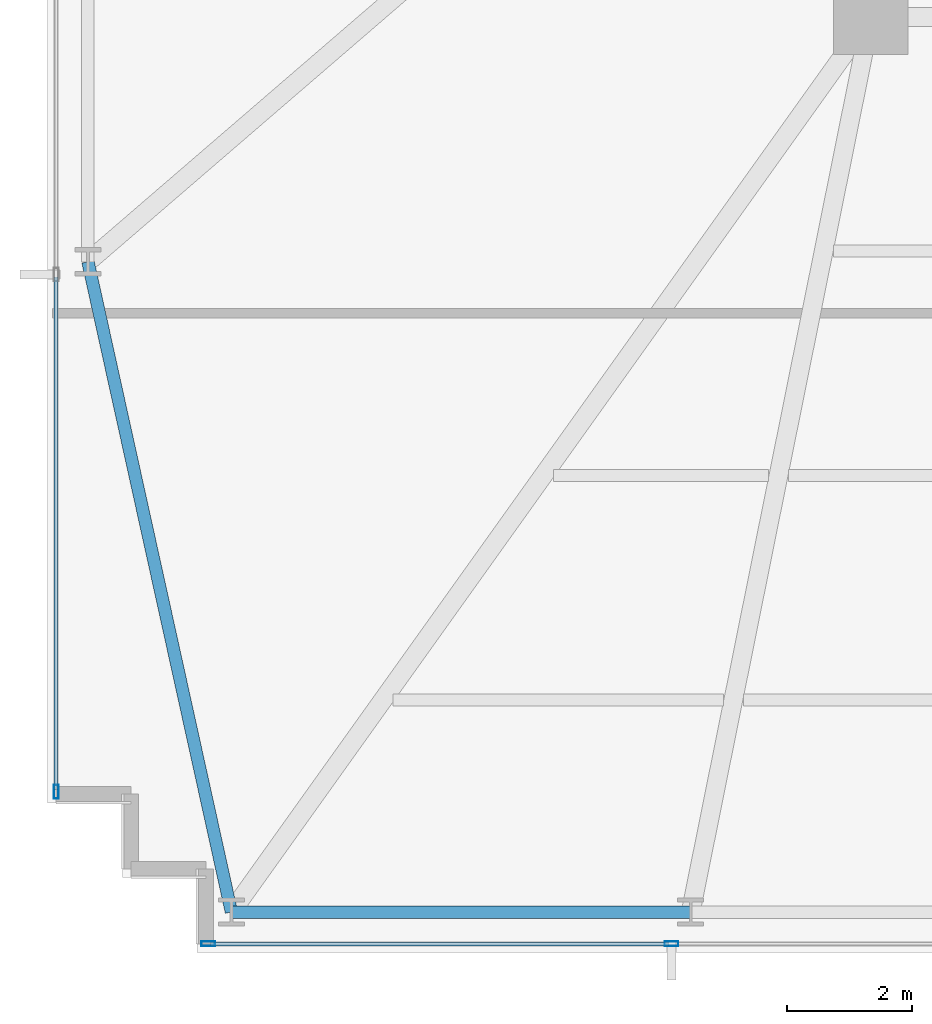
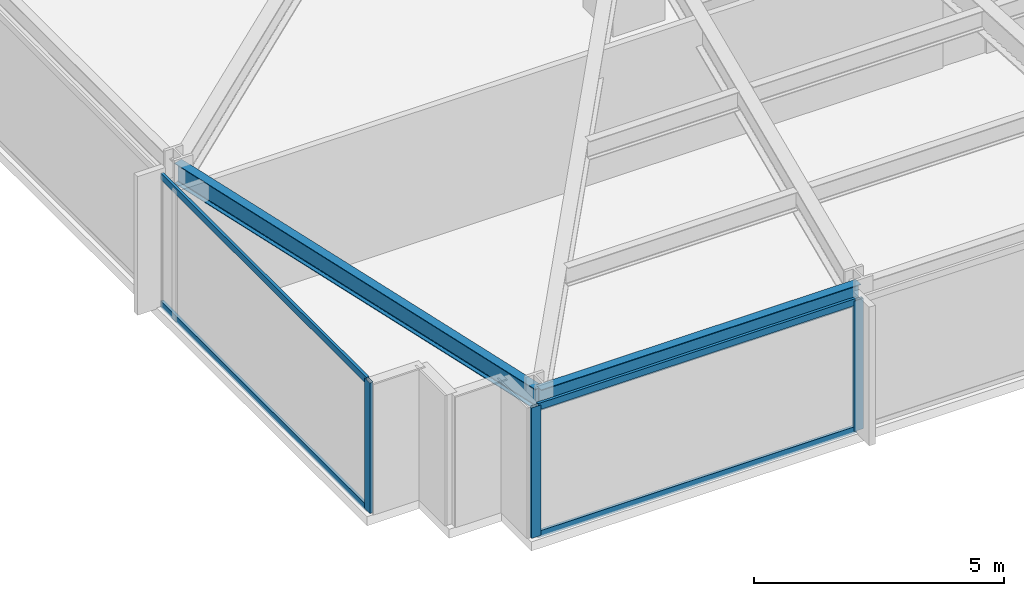
# One storey, part 2 of 33: 7 members, 2 beams, 2 elements without a shape of their own.
"""IFC4 building model written with IfcOpenShell, lengths in metres."""

from ifc_helpers import new_model, si_unit, direction, frame, origin, origin_2d, place, context, subcontext, project, spatial, hollow_rectangle, i_section, extrude, material, material_profile, profile_set, type_object, element, aggregate, save


model = new_model("IFC4")

# Units and contexts
model_context = context("Model", 3, precision=1e-05, world=origin(), true_north=direction((0.0, 1.0)))
body_context = subcontext(model_context, "Body", "Model", "MODEL_VIEW")
ifc_project = project(units=[si_unit("LENGTHUNIT", "METRE"), si_unit("AREAUNIT", "SQUARE_METRE"), si_unit("VOLUMEUNIT", "CUBIC_METRE"), si_unit("PLANEANGLEUNIT", "RADIAN"), si_unit("MASSUNIT", "GRAM", prefix="KILO")], contexts=[model_context])

# Site, building, storey
site_placement = place(None, origin())
site = spatial("IfcSite", under=ifc_project, at=site_placement, CompositionType="ELEMENT")
building_placement = place(site_placement, origin())
building = spatial("IfcBuilding", under=site, at=building_placement, Name="Yelkora Congress Tower", CompositionType="ELEMENT")
storey_placement = place(building_placement, frame((0.0, 0.0, 71.199951171875)))
storey = spatial("IfcBuildingStorey", under=building, at=storey_placement, Name="L18", CompositionType="ELEMENT", Elevation=71.199951171875)

# Beams
ifc_material_1 = material(Name="Steel S355J2", Category="steel")
ifc_material_profile_1 = material_profile(ifc_material_1, i_section(OverallWidth=0.199951171875, OverallDepth=0.5, WebThickness=0.01025390625, FlangeThickness=0.01611328125, FilletRadius=0.02099609375, at=origin_2d()), Name="IPE 500")
ifc_profile_set_1 = profile_set([ifc_material_profile_1], Name="Steel S355J2")
beam_type = type_object("IfcBeamType", Name="BM-SPAN-IPE500", PredefinedType="SPANDREL", material=ifc_profile_set_1)
beam_1_placement = place(storey_placement, frame((6.64990234375, 21.27490234375, 2.929931640625), z_axis=(0.215450706142, -0.976514717361, 0.0), x_axis=(0.976514717361, 0.215450706142, 0.0)))
element("IfcBeam", 1, at=beam_1_placement, inside=storey, type_object=beam_type, Name="L18 Perimeter Beam 1", PredefinedType="SPANDREL", context=body_context, shape_type="SweptSolid", body=[
    extrude(i_section(OverallWidth=0.199951171875, OverallDepth=0.5, WebThickness=0.01025390625, FlangeThickness=0.01611328125, FilletRadius=0.02099609375, at=origin_2d()), origin(), (0.0, 0.0, 1.0), 10.675537109375),
])
beam_2_placement = place(storey_placement, frame((8.949951171875, 10.85009765625, 2.929931640625), z_axis=(1.0, 0.0, 0.0), x_axis=(0.0, 1.0, 0.0)))
element("IfcBeam", 2, at=beam_2_placement, inside=storey, type_object=beam_type, Name="L18 Perimeter Beam 2", PredefinedType="SPANDREL", context=body_context, shape_type="SweptSolid", body=[
    extrude(i_section(OverallWidth=0.199951171875, OverallDepth=0.5, WebThickness=0.01025390625, FlangeThickness=0.01611328125, FilletRadius=0.02099609375, at=origin_2d()), origin(), (0.0, 0.0, 1.0), 7.362548828125),
])

# Curtain wall, member
ifc_material_2 = material(Name="Anodised aluminium and insulated glass", Category="aluminium")
curtain_wall_type = type_object("IfcCurtainWallType", Name="CW-SYS-B1", PredefinedType="NOTDEFINED", material=ifc_material_2)
curtain_wall_1_placement = place(storey_placement, origin())
curtain_wall_1 = element("IfcCurtainWall", 3, at=curtain_wall_1_placement, inside=storey, type_object=curtain_wall_type, Name="L18 Unitised Curtain Wall 5", PredefinedType="NOTDEFINED")
ifc_material_3 = material(Name="Anodised aluminium 6063-T6", Category="aluminium")
ifc_material_profile_2 = material_profile(ifc_material_3, hollow_rectangle(XDim=0.074951171875, YDim=0.219970703125, WallThickness=0.0048828125, at=origin_2d()), Name="ALU 75x220x5")
ifc_profile_set_2 = profile_set([ifc_material_profile_2], Name="Anodised aluminium 6063-T6")
member_type_1 = type_object("IfcMemberType", Name="MEM-ML-B1", PredefinedType="MULLION", material=ifc_profile_set_2)
member_1_placement = place(storey_placement, frame((6.139892578125, 12.777587890625, 0.0), z_axis=(0.0, 0.0, 1.0), x_axis=(-1.0, 0.0, 0.0)))
member_1 = element("IfcMember", 4, at=member_1_placement, type_object=member_type_1, Name="CW-B1 mullion 1", PredefinedType="MULLION", context=body_context, shape_type="SweptSolid", body=[
    extrude(hollow_rectangle(XDim=0.074951171875, YDim=0.219970703125, WallThickness=0.0048828125, at=origin_2d()), origin(), (0.0, 0.0, 1.0), 3.179931640625),
])

# Curtain wall, members
curtain_wall_2_placement = place(storey_placement, origin())
curtain_wall_2 = element("IfcCurtainWall", 5, at=curtain_wall_2_placement, inside=storey, type_object=curtain_wall_type, Name="L18 Unitised Curtain Wall 20", PredefinedType="NOTDEFINED")
member_2_placement = place(storey_placement, frame((16.0048828125, 10.340087890625, 0.0), z_axis=(0.0, 0.0, 1.0), x_axis=(0.0, -1.0, 0.0)))
member_2 = element("IfcMember", 6, at=member_2_placement, type_object=member_type_1, Name="CW-B1 mullion 8", PredefinedType="MULLION", context=body_context, shape_type="SweptSolid", body=[
    extrude(hollow_rectangle(XDim=0.074951171875, YDim=0.219970703125, WallThickness=0.0048828125, at=origin_2d()), origin(), (0.0, 0.0, 1.0), 3.179931640625),
])
member_3_placement = place(storey_placement, frame((8.577392578125, 10.340087890625, 0.0), z_axis=(0.0, 0.0, 1.0), x_axis=(0.0, -1.0, 0.0)))
member_3 = element("IfcMember", 7, at=member_3_placement, type_object=member_type_1, Name="CW-B1 mullion 9", PredefinedType="MULLION", context=body_context, shape_type="SweptSolid", body=[
    extrude(hollow_rectangle(XDim=0.074951171875, YDim=0.219970703125, WallThickness=0.0048828125, at=origin_2d()), origin(), (0.0, 0.0, 1.0), 3.179931640625),
])

# Member
ifc_material_profile_3 = material_profile(ifc_material_3, hollow_rectangle(XDim=0.06494140625, YDim=0.159912109375, WallThickness=0.00390625, at=origin_2d()), Name="ALU 65x160x4")
ifc_profile_set_3 = profile_set([ifc_material_profile_3], Name="Anodised aluminium 6063-T6")
member_type_2 = type_object("IfcMemberType", Name="MEM-TR-B1", PredefinedType="USERDEFINED", material=ifc_profile_set_3)
member_4_placement = place(storey_placement, frame((6.139892578125, 12.81494140625, 0.032470703125), z_axis=(0.0, 1.0, 0.0), x_axis=(-1.0, 0.0, 0.0)))
member_4 = element("IfcMember", 8, at=member_4_placement, type_object=member_type_2, Name="CW-B1 transom 1.1", ObjectType="TRANSOM", PredefinedType="USERDEFINED", context=body_context, shape_type="SweptSolid", body=[
    extrude(hollow_rectangle(XDim=0.06494140625, YDim=0.159912109375, WallThickness=0.00390625, at=origin_2d()), origin(), (0.0, 0.0, 1.0), 8.217529296875),
])

member_5_placement = place(storey_placement, frame((6.139892578125, 12.81494140625, 3.1474609375), z_axis=(0.0, 1.0, 0.0), x_axis=(-1.0, 0.0, 0.0)))
member_5 = element("IfcMember", 9, at=member_5_placement, type_object=member_type_2, Name="CW-B1 transom 1.2", ObjectType="TRANSOM", PredefinedType="USERDEFINED", context=body_context, shape_type="SweptSolid", body=[
    extrude(hollow_rectangle(XDim=0.06494140625, YDim=0.159912109375, WallThickness=0.00390625, at=origin_2d()), origin(), (0.0, 0.0, 1.0), 8.217529296875),
])

aggregate(curtain_wall_1, [member_1, member_4, member_5])

member_6_placement = place(storey_placement, frame((15.967529296875, 10.340087890625, 0.032470703125), z_axis=(-1.0, 0.0, 0.0), x_axis=(0.0, -1.0, 0.0)))
member_6 = element("IfcMember", 10, at=member_6_placement, type_object=member_type_2, Name="CW-B1 transom 8.1", ObjectType="TRANSOM", PredefinedType="USERDEFINED", context=body_context, shape_type="SweptSolid", body=[
    extrude(hollow_rectangle(XDim=0.06494140625, YDim=0.159912109375, WallThickness=0.00390625, at=origin_2d()), origin(), (0.0, 0.0, 1.0), 7.3525390625),
])

member_7_placement = place(storey_placement, frame((15.967529296875, 10.340087890625, 3.1474609375), z_axis=(-1.0, 0.0, 0.0), x_axis=(0.0, -1.0, 0.0)))
member_7 = element("IfcMember", 11, at=member_7_placement, type_object=member_type_2, Name="CW-B1 transom 8.2", ObjectType="TRANSOM", PredefinedType="USERDEFINED", context=body_context, shape_type="SweptSolid", body=[
    extrude(hollow_rectangle(XDim=0.06494140625, YDim=0.159912109375, WallThickness=0.00390625, at=origin_2d()), origin(), (0.0, 0.0, 1.0), 7.3525390625),
])

aggregate(curtain_wall_2, [member_2, member_3, member_6, member_7])

save(model, "model.ifc")
